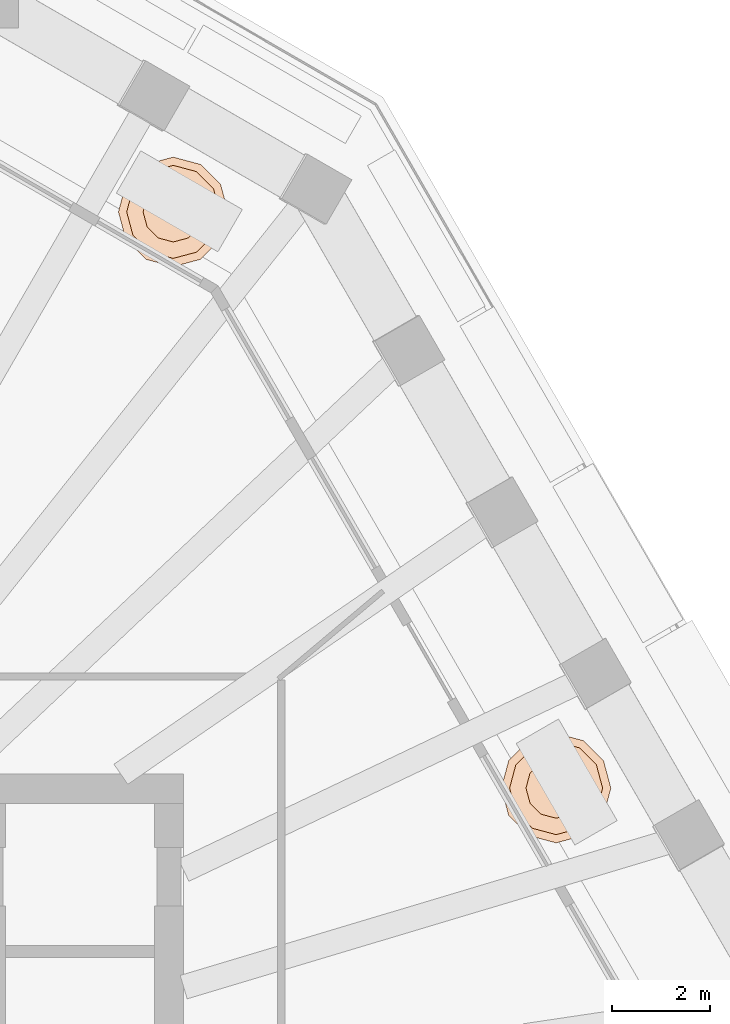
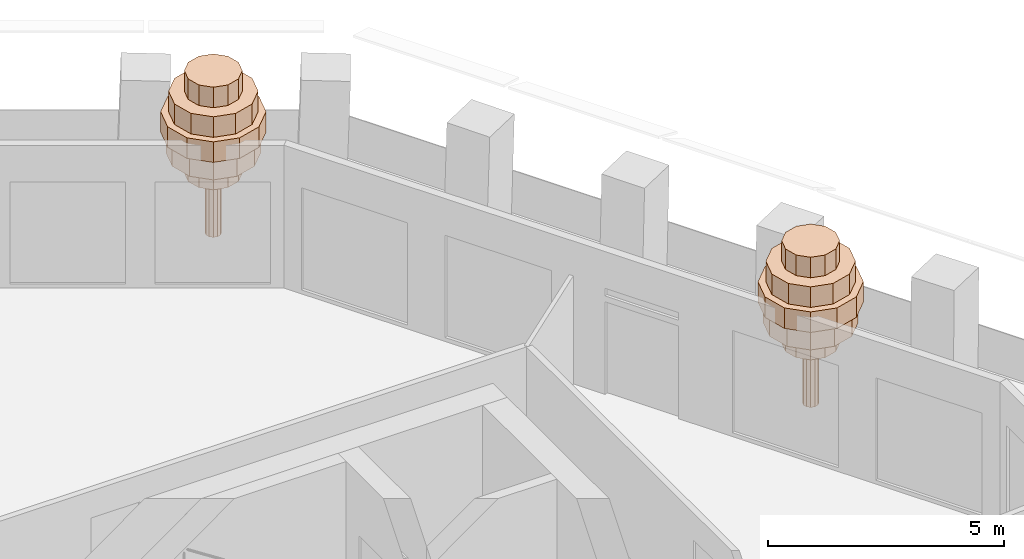
# One storey, part 12 of 12: 2 geographic elements.
"""IFC4 building model written with IfcOpenShell, lengths in metres."""

from ifc_helpers import new_model, si_unit, direction, frame, origin, place, context, subcontext, project, spatial, polyline, outline, extrude, material, type_object, element, save


model = new_model("IFC4")

# Units and contexts
model_context = context("Model", 3, precision=1e-05, world=origin(), true_north=direction((0.0, 1.0)))
body_context = subcontext(model_context, "Body", "Model", "MODEL_VIEW")
ifc_project = project(units=[si_unit("LENGTHUNIT", "METRE"), si_unit("AREAUNIT", "SQUARE_METRE"), si_unit("VOLUMEUNIT", "CUBIC_METRE"), si_unit("PLANEANGLEUNIT", "RADIAN"), si_unit("MASSUNIT", "GRAM", prefix="KILO")], contexts=[model_context])

# Site, building, storey
site_placement = place(None, origin())
site = spatial("IfcSite", under=ifc_project, at=site_placement, CompositionType="ELEMENT")
building_placement = place(site_placement, origin())
building = spatial("IfcBuilding", under=site, at=building_placement, Name="Frailejon Research Tower", CompositionType="ELEMENT")
storey_placement = place(building_placement, frame((0.0, 0.0, 211.39990234375)))
storey = spatial("IfcBuildingStorey", under=building, at=storey_placement, Name="L45", CompositionType="ELEMENT", Elevation=211.39990234375)

# Geographic elements
ifc_material = material(Name="Foliage, green")
geographic_element_type = type_object("IfcGeographicElementType", Name="Frailejon tree, terrace", PredefinedType="USERDEFINED", material=ifc_material)
geographic_element_1_placement = place(storey_placement, frame((21.12158203125, 8.1162109375, 0.7001953125)))
element("IfcGeographicElement", 1, at=geographic_element_1_placement, inside=storey, type_object=geographic_element_type, Name="Tree L45", ObjectType="TREE", PredefinedType="USERDEFINED", context=body_context, shape_type="SweptSolid", body=[
    extrude(outline(polyline([(0.177978515625, 0.0), (0.154052734375, 0.089111328125), (0.089111328125, 0.154052734375), (0.0, 0.177978515625), (-0.089111328125, 0.154052734375), (-0.154052734375, 0.089111328125), (-0.177978515625, 0.0), (-0.154052734375, -0.089111328125), (-0.089111328125, -0.154052734375), (0.0, -0.177978515625), (0.089111328125, -0.154052734375), (0.154052734375, -0.089111328125), (0.177978515625, 0.0)])), origin(), (0.0, 0.0, 1.0), 3.135986328125),
    extrude(outline(polyline([(0.615966796875, 0.0), (0.533447265625, 0.30810546875), (0.30810546875, 0.533447265625), (0.0, 0.615966796875), (-0.30810546875, 0.533447265625), (-0.533447265625, 0.30810546875), (-0.615966796875, 0.0), (-0.533447265625, -0.30810546875), (-0.30810546875, -0.533447265625), (0.0, -0.615966796875), (0.30810546875, -0.533447265625), (0.533447265625, -0.30810546875), (0.615966796875, 0.0)])), frame((0.0, 0.0, 1.5400390625)), (0.0, 0.0, 1.0), 0.531982421875),
    extrude(outline(polyline([(1.008056640625, 0.0), (0.873046875, 0.50390625), (0.50390625, 0.873046875), (0.0, 1.008056640625), (-0.50390625, 0.873046875), (-0.873046875, 0.50390625), (-1.008056640625, 0.0), (-0.873046875, -0.50390625), (-0.50390625, -0.873046875), (0.0, -1.008056640625), (0.50390625, -0.873046875), (0.873046875, -0.50390625), (1.008056640625, 0.0)])), frame((0.0, 0.0, 2.072021484375)), (0.0, 0.0, 1.0), 0.531982421875),
    extrude(outline(polyline([(1.1201171875, 0.0), (0.969970703125, 0.56005859375), (0.56005859375, 0.969970703125), (0.0, 1.1201171875), (-0.56005859375, 0.969970703125), (-0.969970703125, 0.56005859375), (-1.1201171875, 0.0), (-0.969970703125, -0.56005859375), (-0.56005859375, -0.969970703125), (0.0, -1.1201171875), (0.56005859375, -0.969970703125), (0.969970703125, -0.56005859375), (1.1201171875, 0.0)])), frame((0.0, 0.0, 2.60400390625)), (0.0, 0.0, 1.0), 0.531982421875),
    extrude(outline(polyline([(0.951904296875, 0.0), (0.824462890625, 0.47607421875), (0.47607421875, 0.824462890625), (0.0, 0.951904296875), (-0.47607421875, 0.824462890625), (-0.824462890625, 0.47607421875), (-0.951904296875, 0.0), (-0.824462890625, -0.47607421875), (-0.47607421875, -0.824462890625), (0.0, -0.951904296875), (0.47607421875, -0.824462890625), (0.824462890625, -0.47607421875), (0.951904296875, 0.0)])), frame((0.0, 0.0, 3.135986328125)), (0.0, 0.0, 1.0), 0.531982421875),
    extrude(outline(polyline([(0.615966796875, 0.0), (0.533447265625, 0.30810546875), (0.30810546875, 0.533447265625), (0.0, 0.615966796875), (-0.30810546875, 0.533447265625), (-0.533447265625, 0.30810546875), (-0.615966796875, 0.0), (-0.533447265625, -0.30810546875), (-0.30810546875, -0.533447265625), (0.0, -0.615966796875), (0.30810546875, -0.533447265625), (0.533447265625, -0.30810546875), (0.615966796875, 0.0)])), frame((0.0, 0.0, 3.66796875)), (0.0, 0.0, 1.0), 0.531982421875),
])
geographic_element_2_placement = place(storey_placement, frame((13.285888671875, 19.90869140625, 0.7001953125)))
element("IfcGeographicElement", 2, at=geographic_element_2_placement, inside=storey, type_object=geographic_element_type, Name="Tree L45", ObjectType="TREE", PredefinedType="USERDEFINED", context=body_context, shape_type="SweptSolid", body=[
    extrude(outline(polyline([(0.177978515625, 0.0), (0.154052734375, 0.089111328125), (0.089111328125, 0.154052734375), (0.0, 0.177978515625), (-0.089111328125, 0.154052734375), (-0.154052734375, 0.089111328125), (-0.177978515625, 0.0), (-0.154052734375, -0.089111328125), (-0.089111328125, -0.154052734375), (0.0, -0.177978515625), (0.089111328125, -0.154052734375), (0.154052734375, -0.089111328125), (0.177978515625, 0.0)])), origin(), (0.0, 0.0, 1.0), 3.135986328125),
    extrude(outline(polyline([(0.615966796875, 0.0), (0.533447265625, 0.30810546875), (0.30810546875, 0.533447265625), (0.0, 0.615966796875), (-0.30810546875, 0.533447265625), (-0.533447265625, 0.30810546875), (-0.615966796875, 0.0), (-0.533447265625, -0.30810546875), (-0.30810546875, -0.533447265625), (0.0, -0.615966796875), (0.30810546875, -0.533447265625), (0.533447265625, -0.30810546875), (0.615966796875, 0.0)])), frame((0.0, 0.0, 1.5400390625)), (0.0, 0.0, 1.0), 0.531982421875),
    extrude(outline(polyline([(1.008056640625, 0.0), (0.873046875, 0.50390625), (0.50390625, 0.873046875), (0.0, 1.008056640625), (-0.50390625, 0.873046875), (-0.873046875, 0.50390625), (-1.008056640625, 0.0), (-0.873046875, -0.50390625), (-0.50390625, -0.873046875), (0.0, -1.008056640625), (0.50390625, -0.873046875), (0.873046875, -0.50390625), (1.008056640625, 0.0)])), frame((0.0, 0.0, 2.072021484375)), (0.0, 0.0, 1.0), 0.531982421875),
    extrude(outline(polyline([(1.1201171875, 0.0), (0.969970703125, 0.56005859375), (0.56005859375, 0.969970703125), (0.0, 1.1201171875), (-0.56005859375, 0.969970703125), (-0.969970703125, 0.56005859375), (-1.1201171875, 0.0), (-0.969970703125, -0.56005859375), (-0.56005859375, -0.969970703125), (0.0, -1.1201171875), (0.56005859375, -0.969970703125), (0.969970703125, -0.56005859375), (1.1201171875, 0.0)])), frame((0.0, 0.0, 2.60400390625)), (0.0, 0.0, 1.0), 0.531982421875),
    extrude(outline(polyline([(0.951904296875, 0.0), (0.824462890625, 0.47607421875), (0.47607421875, 0.824462890625), (0.0, 0.951904296875), (-0.47607421875, 0.824462890625), (-0.824462890625, 0.47607421875), (-0.951904296875, 0.0), (-0.824462890625, -0.47607421875), (-0.47607421875, -0.824462890625), (0.0, -0.951904296875), (0.47607421875, -0.824462890625), (0.824462890625, -0.47607421875), (0.951904296875, 0.0)])), frame((0.0, 0.0, 3.135986328125)), (0.0, 0.0, 1.0), 0.531982421875),
    extrude(outline(polyline([(0.615966796875, 0.0), (0.533447265625, 0.30810546875), (0.30810546875, 0.533447265625), (0.0, 0.615966796875), (-0.30810546875, 0.533447265625), (-0.533447265625, 0.30810546875), (-0.615966796875, 0.0), (-0.533447265625, -0.30810546875), (-0.30810546875, -0.533447265625), (0.0, -0.615966796875), (0.30810546875, -0.533447265625), (0.533447265625, -0.30810546875), (0.615966796875, 0.0)])), frame((0.0, 0.0, 3.66796875)), (0.0, 0.0, 1.0), 0.531982421875),
])

save(model, "model.ifc")
